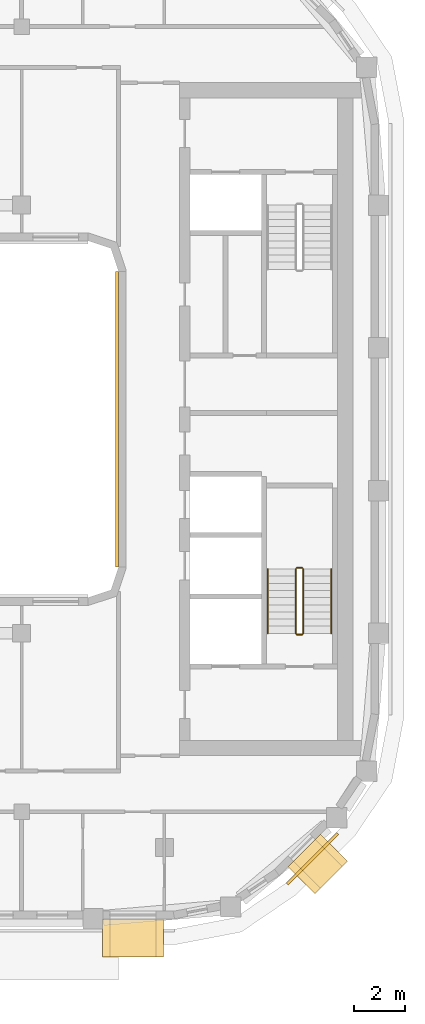
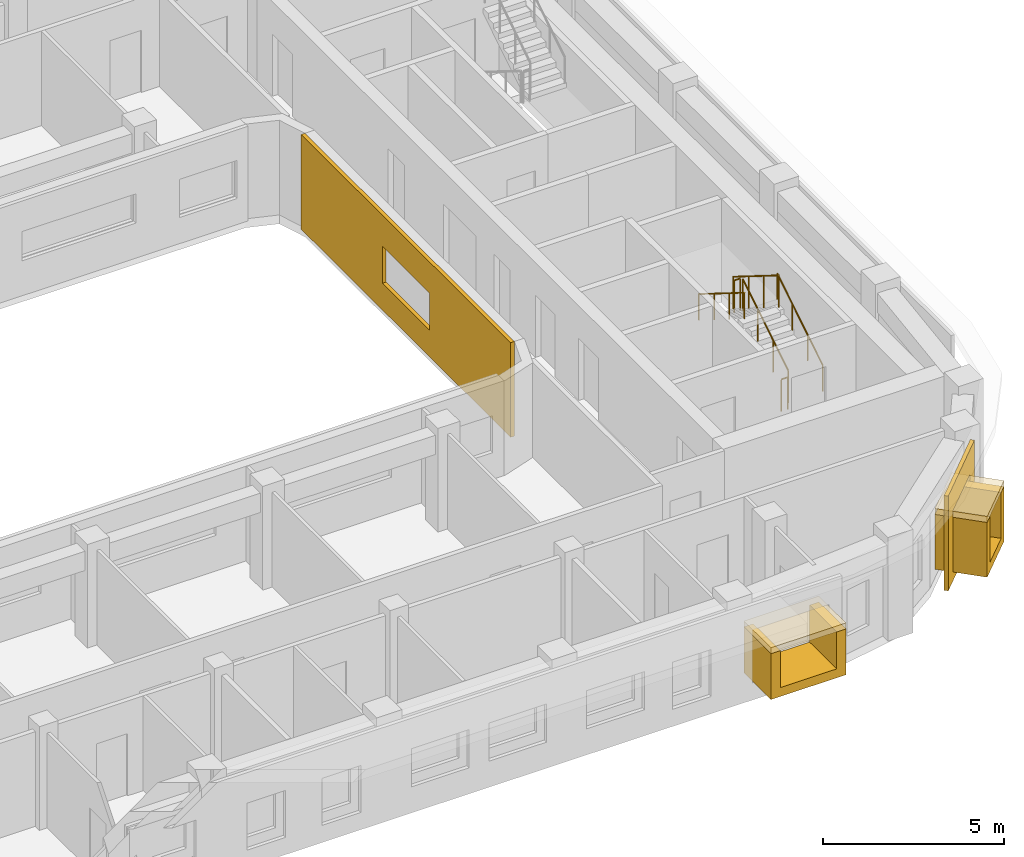
# One storey, part 12 of 15: 6 coverings, 6 railings.
"""IFC4 building model written with IfcOpenShell, lengths in metres."""

import ifcopenshell
import ifcopenshell.guid

model = None  # the IFC model being written
_history = None  # IfcOwnerHistory: only IFC2X3 demands one
_inside = {}  # id of a spatial element -> (the spatial element, [elements in it])
_under = {}  # id of a project, library or spatial element -> (it, [spatial elements below it])
_declared = {}  # id of a project -> (the project, [libraries it declares])
_typed = {}  # id of a type object -> (the type object, [elements of that type])
_made_of = {}  # id of a material, layer set ... -> (it, [elements and type objects made of it])


def new_model(schema):
    """Start an empty IFC model of exactly this schema.

    Asked for "IFC4X3", IfcOpenShell would pick the latest addendum, in which some entities
    have other attributes; the version numbers below select the first issue.
    IFC2X3 requires an IfcOwnerHistory on every rooted entity: one is made here for all.
    """
    global model, _history
    if schema == "IFC4X3":
        model = ifcopenshell.file(schema_version=(4, 3, 0, 0))
    else:
        model = ifcopenshell.file(schema=schema)
    _inside.clear()
    _under.clear()
    _declared.clear()
    _typed.clear()
    _made_of.clear()
    _history = None
    if model.schema == "IFC2X3":
        org = make("IfcOrganization", Name="unknown")
        user = make(
            "IfcPersonAndOrganization",
            ThePerson=make("IfcPerson", FamilyName="unknown"),
            TheOrganization=org,
        )
        app = make(
            "IfcApplication",
            ApplicationDeveloper=org,
            Version="unknown",
            ApplicationFullName="unknown",
            ApplicationIdentifier="unknown",
        )
        _history = make(
            "IfcOwnerHistory",
            OwningUser=user,
            OwningApplication=app,
            ChangeAction="ADDED",
            CreationDate=0,
        )
    return model


def make(cls, **values):
    """One entity of the class cls with the attributes given. An attribute that is None is left unset."""
    return model.create_entity(
        cls, **{name: value for name, value in values.items() if value is not None}
    )


def rooted(cls, **values):
    """An entity with a GlobalId (a new one), such as an element, a storey or a relation."""
    return make(cls, GlobalId=ifcopenshell.guid.new(), OwnerHistory=_history, **values)


def si_unit(unit_type, name, prefix=None):
    """IfcSIUnit, for example si_unit("LENGTHUNIT", "METRE", prefix="MILLI")."""
    return make("IfcSIUnit", UnitType=unit_type, Prefix=prefix, Name=name)


def assignment(units):
    """IfcUnitAssignment: the units of a project."""
    return None if units is None else make("IfcUnitAssignment", Units=units)


def point(xyz):
    """IfcCartesianPoint."""
    return None if xyz is None else make("IfcCartesianPoint", Coordinates=xyz)


def direction(xyz):
    """IfcDirection."""
    return None if xyz is None else make("IfcDirection", DirectionRatios=xyz)


def frame(location, z_axis=None, x_axis=None):
    """IfcAxis2Placement3D, a coordinate frame: its origin and axes. An axis left out is left unset."""
    return make(
        "IfcAxis2Placement3D",
        Location=point(location),
        Axis=direction(z_axis),
        RefDirection=direction(x_axis),
    )


def frame_2d(location, x_axis=None):
    """IfcAxis2Placement2D, a coordinate frame in the plane: its origin and x axis."""
    return make(
        "IfcAxis2Placement2D", Location=point(location), RefDirection=direction(x_axis)
    )


def origin():
    """The frame at (0, 0, 0) with its axes left unset."""
    return frame((0.0, 0.0, 0.0))


def origin_2d():
    """The frame at (0, 0) in the plane with its x axis left unset."""
    return frame_2d((0.0, 0.0))


def place(relative_to, where):
    """IfcLocalPlacement: puts the frame where relative to a parent placement (None: the world)."""
    return make(
        "IfcLocalPlacement", PlacementRelTo=relative_to, RelativePlacement=where
    )


def context(
    kind, dimensions, precision=None, world=None, true_north=None, identifier=None
):
    """IfcGeometricRepresentationContext, for example the 3D "Model" context."""
    return make(
        "IfcGeometricRepresentationContext",
        ContextIdentifier=identifier,
        ContextType=kind,
        CoordinateSpaceDimension=dimensions,
        Precision=precision,
        WorldCoordinateSystem=world,
        TrueNorth=true_north,
    )


def subcontext(parent, identifier, kind, view, scale=None):
    """IfcGeometricRepresentationSubContext, for example "Body" below "Model"."""
    return make(
        "IfcGeometricRepresentationSubContext",
        ContextIdentifier=identifier,
        ContextType=kind,
        ParentContext=parent,
        TargetScale=scale,
        TargetView=view,
    )


def project(units=None, contexts=None):
    """IfcProject with its units and contexts."""
    return rooted(
        "IfcProject",
        Name="project",
        RepresentationContexts=contexts,
        UnitsInContext=assignment(units),
    )


def spatial(cls, under=None, at=None, **own):
    """A site, building, storey or space (cls), placed at a placement, below another one or the project."""
    s = rooted(cls, ObjectPlacement=at, **own)
    if under is not None:
        _under.setdefault(under.id(), (under, []))[1].append(s)
    return s


def polyline(points):
    """IfcPolyline through the points."""
    return make("IfcPolyline", Points=[point(p) for p in points])


def profile(cls, at=None, kind="AREA", **sizes):
    """A parametric profile (cls). Its sizes go by their IFC names, for example OverallWidth=200.0."""
    return make(cls, ProfileType=kind, Position=at, **sizes)


def rectangle(**sizes):
    """IfcRectangleProfileDef."""
    return profile("IfcRectangleProfileDef", **sizes)


def circle(**sizes):
    """IfcCircleProfileDef."""
    return profile("IfcCircleProfileDef", **sizes)


def outline(outer, holes=None, kind="AREA"):
    """IfcArbitraryClosedProfileDef: a profile drawn as a closed curve; with holes, ...WithVoids."""
    if holes is None:
        return make("IfcArbitraryClosedProfileDef", ProfileType=kind, OuterCurve=outer)
    return make(
        "IfcArbitraryProfileDefWithVoids",
        ProfileType=kind,
        OuterCurve=outer,
        InnerCurves=holes,
    )


def extrude(swept, where, along, depth):
    """IfcExtrudedAreaSolid: the profile swept, set in the frame where, extruded along a direction by depth."""
    return make(
        "IfcExtrudedAreaSolid",
        SweptArea=swept,
        Position=where,
        ExtrudedDirection=direction(along),
        Depth=depth,
    )


def shape(context_of_items, identifier, shape_type, items):
    """IfcShapeRepresentation: the items that make up one representation, for example the "Body"."""
    return make(
        "IfcShapeRepresentation",
        ContextOfItems=context_of_items,
        RepresentationIdentifier=identifier,
        RepresentationType=shape_type,
        Items=items,
    )


def material(Name=None, Category=None):
    """IfcMaterial."""
    return make("IfcMaterial", Name=Name, Category=Category)


def layer(
    of_material, thickness, ventilated=None, Name=None, Category=None, Priority=None
):
    """IfcMaterialLayer: one layer of a wall or slab, of a material (None: an air gap)."""
    return make(
        "IfcMaterialLayer",
        Material=of_material,
        LayerThickness=thickness,
        IsVentilated=ventilated,
        Name=Name,
        Category=Category,
        Priority=Priority,
    )


def layer_set(layers, Name=None):
    """IfcMaterialLayerSet."""
    return make("IfcMaterialLayerSet", MaterialLayers=layers, LayerSetName=Name)


def made_of(thing, what):
    """Note that an element or type object is made of a material, layer set ...; save() writes the relation."""
    if what is not None:
        _made_of.setdefault(what.id(), (what, []))[1].append(thing)
    return thing


def type_object(cls, material=None, **own):
    """A type object (cls), such as IfcWallType, which elements share."""
    return made_of(rooted(cls, **own), material)


def element(
    cls,
    number,
    at=None,
    inside=None,
    cuts=None,
    type_object=None,
    material=None,
    context=None,
    identifier="Body",
    shape_type=None,
    held_by="IfcProductDefinitionShape",
    body=None,
    shapes=None,
    **own,
):
    """One element of the class cls, such as IfcWall. Its Tag is "e" and its number.

    at: its placement. inside: the storey or other place that contains it. cuts: it is an
    opening in that element (IfcRelVoidsElement). A single representation is given by context,
    identifier, shape_type and body (its items); several are given by shapes. held_by: the class
    of the entity that holds the representations. save() writes the other relations.
    """
    e = rooted(cls, Tag="e%d" % number, ObjectPlacement=at, **own)
    if body is not None:
        shapes = [shape(context, identifier, shape_type, body)]
    if shapes is not None:
        e.Representation = make(held_by, Representations=shapes)
    if inside is not None:
        _inside.setdefault(inside.id(), (inside, []))[1].append(e)
    if cuts is not None:
        rooted(
            "IfcRelVoidsElement", RelatingBuildingElement=cuts, RelatedOpeningElement=e
        )
    if type_object is not None:
        _typed.setdefault(type_object.id(), (type_object, []))[1].append(e)
    return made_of(e, material)


def aggregate(whole, parts):
    """IfcRelAggregates: a whole, such as a stair, and the parts it consists of."""
    return rooted("IfcRelAggregates", RelatingObject=whole, RelatedObjects=parts)


def save(model, path):
    """Write the relations noted so far, then the file.

    IfcRelAggregates (storeys below a building ...), IfcRelContainedInSpatialStructure (elements
    in a storey), IfcRelDefinesByType, IfcRelAssociatesMaterial and IfcRelDeclares: one each for
    every whole, place, type object, material and project.
    """
    for whole, parts in _under.values():
        aggregate(whole, parts)
    for where, things in _inside.values():
        rooted(
            "IfcRelContainedInSpatialStructure",
            RelatedElements=things,
            RelatingStructure=where,
        )
    for kind, things in _typed.values():
        rooted("IfcRelDefinesByType", RelatedObjects=things, RelatingType=kind)
    for what, things in _made_of.values():
        rooted("IfcRelAssociatesMaterial", RelatedObjects=things, RelatingMaterial=what)
    for by, libraries in _declared.values():
        rooted("IfcRelDeclares", RelatingContext=by, RelatedDefinitions=libraries)
    model.write(path)


model = new_model("IFC4")

# Units and contexts
model_context = context("Model", 3, precision=1e-05, world=origin(), true_north=direction((0.0, 1.0)))
body_context = subcontext(model_context, "Body", "Model", "MODEL_VIEW")
ifc_project = project(units=[si_unit("LENGTHUNIT", "METRE"), si_unit("AREAUNIT", "SQUARE_METRE"), si_unit("VOLUMEUNIT", "CUBIC_METRE"), si_unit("PLANEANGLEUNIT", "RADIAN"), si_unit("MASSUNIT", "GRAM", prefix="KILO")], contexts=[model_context])

# Site, building, storey
site_placement = place(None, origin())
site = spatial("IfcSite", under=ifc_project, at=site_placement, CompositionType="ELEMENT")
building_placement = place(site_placement, origin())
building = spatial("IfcBuilding", under=site, at=building_placement, Name="Kiln Ring Residences", CompositionType="ELEMENT")
storey_placement = place(building_placement, frame((0.0, 0.0, 248.699951171875)))
storey = spatial("IfcBuildingStorey", under=building, at=storey_placement, Name="L64", CompositionType="ELEMENT", Elevation=248.699951171875)

# Railings
ifc_material_1 = material(Name="Stainless steel", Category="steel")
railing_type_1 = type_object("IfcRailingType", Name="CORE-STAIR-GUARD", PredefinedType="GUARDRAIL", material=ifc_material_1)
railing_1_placement = place(storey_placement, frame((22.25, -8.39990234375, 0.175048828125)))
element("IfcRailing", 1, at=railing_1_placement, inside=storey, type_object=railing_type_1, Name="L64 E-STS stair guard 1", PredefinedType="GUARDRAIL", context=body_context, shape_type="SweptSolid", body=[
    extrude(circle(Radius=0.02392578125, at=origin_2d()), frame((0.0, 0.0, 1.076171875), z_axis=(0.0, 0.848007534815, 0.529984170421), x_axis=(-1.0, 0.0, 0.0)), (0.0, 0.0, 1.0), 2.9716796875),
    extrude(circle(Radius=0.02099609375, at=origin_2d()), origin(), (0.0, 0.0, 1.0), 1.052001953125),
    extrude(circle(Radius=0.02099609375, at=origin_2d()), frame((0.0, 0.840087890625, 0.52490234375)), (0.0, 0.0, 1.0), 1.052001953125),
    extrude(circle(Radius=0.02099609375, at=origin_2d()), frame((0.0, 1.679931640625, 1.050048828125)), (0.0, 0.0, 1.0), 1.052001953125),
    extrude(circle(Radius=0.02099609375, at=origin_2d()), frame((0.0, 2.52001953125, 1.574951171875)), (0.0, 0.0, 1.0), 1.052001953125),
])
railing_2_placement = place(storey_placement, frame((22.199951171875, -5.830078125, 1.75)))
element("IfcRailing", 2, at=railing_2_placement, inside=storey, type_object=railing_type_1, Name="L64 E-STS stair guard 2", PredefinedType="GUARDRAIL", context=body_context, shape_type="SweptSolid", body=[
    extrude(circle(Radius=0.02392578125, at=origin_2d()), frame((0.0, 0.0, 1.076171875), z_axis=(-1.0, 0.0, 0.0), x_axis=(0.0, -1.0, 0.0)), (0.0, 0.0, 1.0), 0.199951171875),
    extrude(circle(Radius=0.02099609375, at=origin_2d()), origin(), (0.0, 0.0, 1.0), 1.052001953125),
    extrude(circle(Radius=0.02099609375, at=origin_2d()), frame((-0.199951171875, 0.0, 0.0)), (0.0, 0.0, 1.0), 1.052001953125),
])
railing_3_placement = place(storey_placement, frame((21.949951171875, -5.8798828125, 1.925048828125)))
element("IfcRailing", 3, at=railing_3_placement, inside=storey, type_object=railing_type_1, Name="L64 E-STS stair guard 3", PredefinedType="GUARDRAIL", context=body_context, shape_type="SweptSolid", body=[
    extrude(circle(Radius=0.02392578125, at=origin_2d()), frame((0.0, 0.0, 1.076171875), z_axis=(0.0, -0.848007534815, 0.529984170421), x_axis=(1.0, 0.0, 0.0)), (0.0, 0.0, 1.0), 2.9716796875),
    extrude(circle(Radius=0.02099609375, at=origin_2d()), origin(), (0.0, 0.0, 1.0), 1.052001953125),
    extrude(circle(Radius=0.02099609375, at=origin_2d()), frame((0.0, -0.840087890625, 0.52490234375)), (0.0, 0.0, 1.0), 1.052001953125),
    extrude(circle(Radius=0.02099609375, at=origin_2d()), frame((0.0, -1.679931640625, 1.050048828125)), (0.0, 0.0, 1.0), 1.052001953125),
    extrude(circle(Radius=0.02099609375, at=origin_2d()), frame((0.0, -2.52001953125, 1.574951171875)), (0.0, 0.0, 1.0), 1.052001953125),
])
railing_4_placement = place(storey_placement, frame((22.199951171875, -8.449951171875, 0.0)))
element("IfcRailing", 4, at=railing_4_placement, inside=storey, type_object=railing_type_1, Name="L64 E-STS stair guard 4", PredefinedType="GUARDRAIL", context=body_context, shape_type="SweptSolid", body=[
    extrude(circle(Radius=0.02392578125, at=origin_2d()), frame((0.0, 0.0, 1.076171875), z_axis=(-1.0, 0.0, 0.0), x_axis=(0.0, -1.0, 0.0)), (0.0, 0.0, 1.0), 0.199951171875),
    extrude(circle(Radius=0.02099609375, at=origin_2d()), origin(), (0.0, 0.0, 1.0), 1.052001953125),
    extrude(circle(Radius=0.02099609375, at=origin_2d()), frame((-0.199951171875, 0.0, 0.0)), (0.0, 0.0, 1.0), 1.052001953125),
])
ifc_material_2 = material(Name="Stainless steel", Category="steel")
railing_type_2 = type_object("IfcRailingType", Name="CORE-STAIR-HANDRAIL", PredefinedType="HANDRAIL", material=ifc_material_2)
railing_5_placement = place(storey_placement, frame((23.35009765625, -8.39990234375, 0.175048828125)))
element("IfcRailing", 5, at=railing_5_placement, inside=storey, type_object=railing_type_2, Name="L64 E-STS stair handrail 1", PredefinedType="HANDRAIL", context=body_context, shape_type="SweptSolid", body=[
    extrude(circle(Radius=0.02392578125, at=origin_2d()), frame((0.0, 0.0, 0.8759765625), z_axis=(0.0, 0.848007534815, 0.529984170421), x_axis=(-1.0, 0.0, 0.0)), (0.0, 0.0, 1.0), 2.9716796875),
    extrude(circle(Radius=0.02099609375, at=origin_2d()), origin(), (0.0, 0.0, 1.0), 0.851806640625),
    extrude(circle(Radius=0.02099609375, at=origin_2d()), frame((0.0, 0.840087890625, 0.52490234375)), (0.0, 0.0, 1.0), 0.851806640625),
    extrude(circle(Radius=0.02099609375, at=origin_2d()), frame((0.0, 1.679931640625, 1.050048828125)), (0.0, 0.0, 1.0), 0.851806640625),
    extrude(circle(Radius=0.02099609375, at=origin_2d()), frame((0.0, 2.52001953125, 1.574951171875)), (0.0, 0.0, 1.0), 0.851806640625),
])
railing_6_placement = place(storey_placement, frame((20.85009765625, -5.8798828125, 1.925048828125)))
element("IfcRailing", 6, at=railing_6_placement, inside=storey, type_object=railing_type_2, Name="L64 E-STS stair handrail 2", PredefinedType="HANDRAIL", context=body_context, shape_type="SweptSolid", body=[
    extrude(circle(Radius=0.02392578125, at=origin_2d()), frame((0.0, 0.0, 0.8759765625), z_axis=(0.0, -0.848007534815, 0.529984170421), x_axis=(1.0, 0.0, 0.0)), (0.0, 0.0, 1.0), 2.9716796875),
    extrude(circle(Radius=0.02099609375, at=origin_2d()), origin(), (0.0, 0.0, 1.0), 0.851806640625),
    extrude(circle(Radius=0.02099609375, at=origin_2d()), frame((0.0, -0.840087890625, 0.52490234375)), (0.0, 0.0, 1.0), 0.851806640625),
    extrude(circle(Radius=0.02099609375, at=origin_2d()), frame((0.0, -1.679931640625, 1.050048828125)), (0.0, 0.0, 1.0), 0.851806640625),
    extrude(circle(Radius=0.02099609375, at=origin_2d()), frame((0.0, -2.52001953125, 1.574951171875)), (0.0, 0.0, 1.0), 0.851806640625),
])

# Coverings
ifc_material_3 = material(Name="Brick masonry, dark clay brick", Category="masonry")
ifc_layer_1 = layer(ifc_material_3, 0.300048828125)
ifc_layer_set_1 = layer_set([ifc_layer_1], Name="FRAME CHEEKS AND SILL 1500")
covering_type_1 = type_object("IfcCoveringType", Name="FRAME CHEEKS AND SILL 1500", PredefinedType="CLADDING", material=ifc_layer_set_1)
covering_1_placement = place(storey_placement, frame((14.362548828125, -20.35009765625, 0.60009765625), z_axis=(0.0, 0.0, 1.0), x_axis=(1.0, 0.0, 0.0)))
element("IfcCovering", 7, at=covering_1_placement, inside=storey, type_object=covering_type_1, Name="FRAME L64", PredefinedType="CLADDING", context=body_context, shape_type="SweptSolid", body=[
    extrude(outline(polyline([(0.0, 0.0), (2.39990234375, 0.0), (2.39990234375, 1.550048828125), (2.10107421875, 1.550048828125), (2.10009765625, 0.300048828125), (0.300048828125, 0.300048828125), (0.299072265625, 1.550048828125), (0.0, 1.550048828125), (0.0, 0.0)])), frame((0.0, 0.75, 0.0), z_axis=(0.0, -1.0, 0.0), x_axis=(1.0, 0.0, 0.0)), (0.0, 0.0, 1.0), 1.5),
])
covering_2_placement = place(storey_placement, frame((22.180908203125, -18.079833984375, 0.300048828125), z_axis=(0.0, 0.0, 1.0), x_axis=(0.707038962956, 0.707174592913, 0.0)))
element("IfcCovering", 8, at=covering_2_placement, inside=storey, type_object=covering_type_1, Name="FRAME L64", PredefinedType="CLADDING", context=body_context, shape_type="SweptSolid", body=[
    extrude(outline(polyline([(0.0, 0.0), (1.800048828125, 0.0), (1.800048828125, 1.85009765625), (1.5009765625, 1.85009765625), (1.5, 0.300048828125), (0.300048828125, 0.300048828125), (0.299072265625, 1.85009765625), (0.0, 1.85009765625), (0.0, 0.0)])), frame((0.0, 0.75, 0.0), z_axis=(0.0, -1.0, 0.0), x_axis=(1.0, 0.0, 0.0)), (0.0, 0.0, 1.0), 1.5),
])
ifc_material_4 = material(Name="Brick masonry, dark clay brick", Category="masonry")
ifc_layer_2 = layer(ifc_material_4, 0.199951171875)
ifc_layer_set_2 = layer_set([ifc_layer_2], Name="FRAME HEAD 1500")
covering_type_2 = type_object("IfcCoveringType", Name="FRAME HEAD 1500", PredefinedType="CLADDING", material=ifc_layer_set_2)
covering_3_placement = place(storey_placement, frame((15.5625, -20.35009765625, 2.14990234375), z_axis=(0.0, 0.0, 1.0), x_axis=(1.0, 0.0, 0.0)))
element("IfcCovering", 9, at=covering_3_placement, inside=storey, type_object=covering_type_2, Name="FRAME HEAD L64", PredefinedType="CLADDING", context=body_context, shape_type="SweptSolid", body=[
    extrude(rectangle(XDim=2.39990234375, YDim=1.5, at=origin_2d()), origin(), (0.0, 0.0, 1.0), 0.199951171875),
])
covering_4_placement = place(storey_placement, frame((22.8173828125, -17.443359375, 2.14990234375), z_axis=(0.0, 0.0, 1.0), x_axis=(0.707106781187, 0.707106781187, 0.0)))
element("IfcCovering", 10, at=covering_4_placement, inside=storey, type_object=covering_type_2, Name="FRAME HEAD L64", PredefinedType="CLADDING", context=body_context, shape_type="SweptSolid", body=[
    extrude(rectangle(XDim=1.800048828125, YDim=1.5, at=origin_2d()), origin(), (0.0, 0.0, 1.0), 0.199951171875),
])
ifc_material_5 = material(Name="Brick masonry, dark clay brick", Category="masonry")
ifc_layer_3 = layer(ifc_material_5, 0.1201171875)
ifc_layer_set_3 = layer_set([ifc_layer_3], Name="RAINSCREEN PANEL 120")
covering_type_3 = type_object("IfcCoveringType", Name="RAINSCREEN PANEL 120", PredefinedType="CLADDING", material=ifc_layer_set_3)
covering_5_placement = place(storey_placement, frame((21.622314453125, -18.228271484375, 0.0), z_axis=(0.0, 0.0, 1.0), x_axis=(0.707106781187, 0.707106781187, 0.0)))
element("IfcCovering", 11, at=covering_5_placement, inside=storey, type_object=covering_type_3, Name="RAINSCREEN L64", PredefinedType="CLADDING", context=body_context, shape_type="SweptSolid", body=[
    extrude(outline(polyline([(0.0, 0.0), (2.800048828125, 0.0), (2.800048828125, 3.199951171875), (0.0, 3.199951171875), (0.0, 0.0)]), holes=[polyline([(0.47998046875, 2.3701171875), (0.47998046875, 0.280029296875), (2.320068359375, 0.280029296875), (2.320068359375, 2.3701171875), (0.47998046875, 2.3701171875)])]), frame((0.0, 0.06005859375, 0.0), z_axis=(0.0, -1.0, 0.0), x_axis=(1.0, 0.0, 0.0)), (0.0, 0.0, 1.0), 0.1201171875),
])
covering_6_placement = place(storey_placement, frame((14.93994140625, 5.800048828125, 0.0), z_axis=(0.0, 0.0, 1.0), x_axis=(0.0, -1.0, 0.0)))
element("IfcCovering", 12, at=covering_6_placement, inside=storey, type_object=covering_type_3, Name="RAINSCREEN L64", PredefinedType="CLADDING", context=body_context, shape_type="SweptSolid", body=[
    extrude(outline(polyline([(0.0, 0.0), (11.60009765625, 0.0), (11.60009765625, 3.199951171875), (0.0, 3.199951171875), (0.0, 0.0)]), holes=[polyline([(4.5, 2.150146484375), (4.5, 0.900146484375), (7.10009765625, 0.900146484375), (7.10009765625, 2.150146484375), (4.5, 2.150146484375)])]), frame((0.0, 0.06005859375, 0.0), z_axis=(0.0, -1.0, 0.0), x_axis=(1.0, 0.0, 0.0)), (0.0, 0.0, 1.0), 0.1201171875),
])

save(model, "model.ifc")
